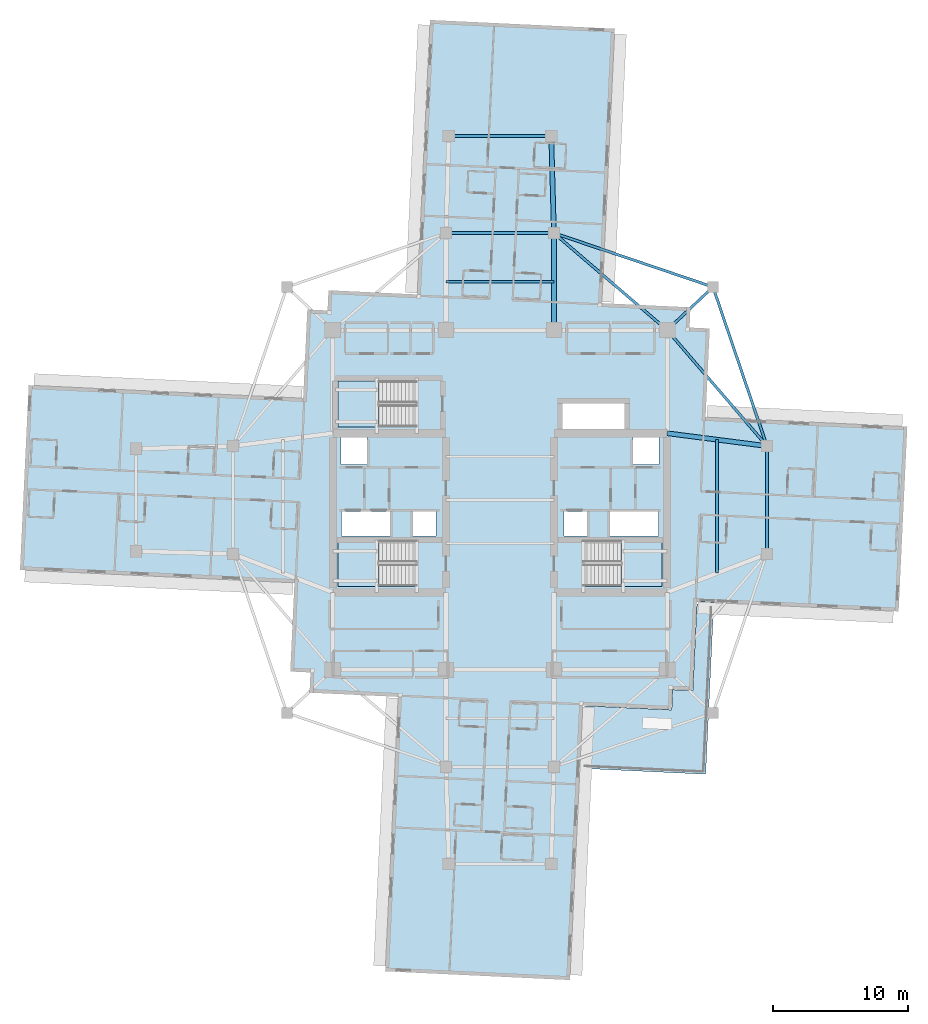
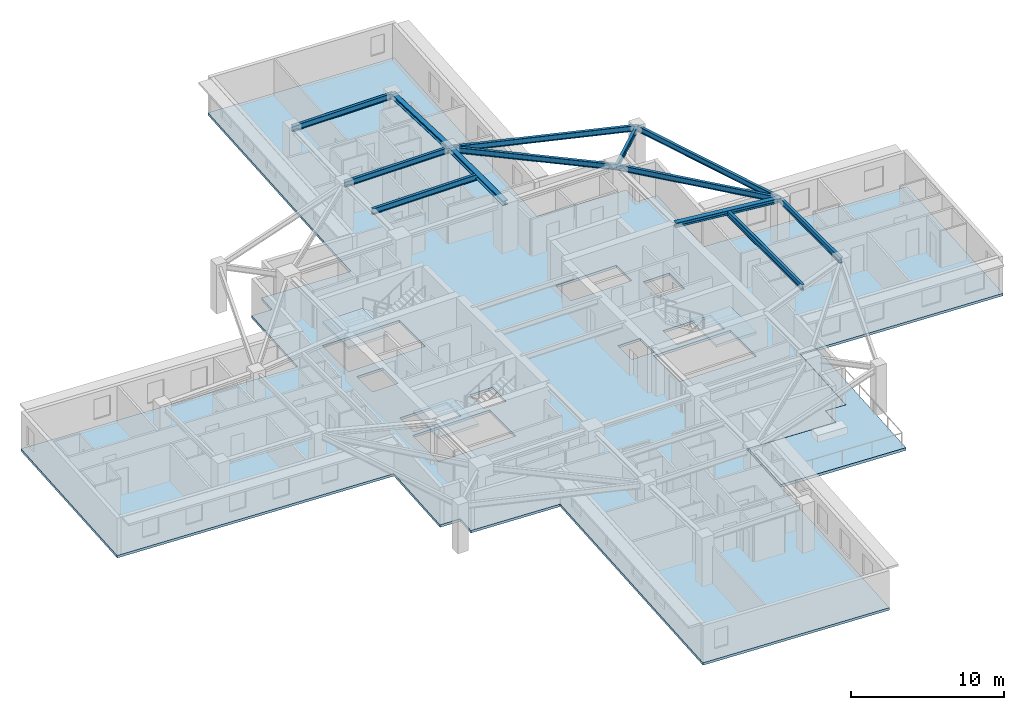
# One storey, part 2 of 14: 13 beams, 5 slabs, 3 elements without a shape of their own.
"""IFC4 building model written with IfcOpenShell, lengths in metres."""

from ifc_helpers import new_model, si_unit, direction, frame, origin, origin_2d, place, context, subcontext, project, spatial, polyline, i_section, outline, extrude, material, layer, layer_set, material_profile, profile_set, type_object, element, aggregate, save


model = new_model("IFC4")

# Units and contexts
model_context = context("Model", 3, precision=1e-05, world=origin(), true_north=direction((0.0, 1.0)))
body_context = subcontext(model_context, "Body", "Model", "MODEL_VIEW")
ifc_project = project(units=[si_unit("LENGTHUNIT", "METRE"), si_unit("AREAUNIT", "SQUARE_METRE"), si_unit("VOLUMEUNIT", "CUBIC_METRE"), si_unit("PLANEANGLEUNIT", "RADIAN"), si_unit("MASSUNIT", "GRAM", prefix="KILO")], contexts=[model_context])

# Site, building, storey
site_placement = place(None, origin())
site = spatial("IfcSite", under=ifc_project, at=site_placement, CompositionType="ELEMENT")
building_placement = place(site_placement, origin())
building = spatial("IfcBuilding", under=site, at=building_placement, Name="Qingluan Cross Belvedere", CompositionType="ELEMENT")
storey_placement = place(building_placement, frame((0.0, 0.0, 172.199951171875)))
storey = spatial("IfcBuildingStorey", under=building, at=storey_placement, Name="L43", CompositionType="ELEMENT", Elevation=172.199951171875)

# Beams
ifc_material_1 = material(Name="Steel Q420GJB", Category="steel")
ifc_material_profile_1 = material_profile(ifc_material_1, i_section(OverallWidth=0.199951171875, OverallDepth=0.449951171875, WebThickness=0.009033203125, FlangeThickness=0.013916015625, FilletRadius=0.01611328125, at=origin_2d()), Name="HN450x200x9x14")
ifc_profile_set_1 = profile_set([ifc_material_profile_1], Name="Steel Q420GJB")
beam_type_1 = type_object("IfcBeamType", Name="Steel_Beam_HN450x200x9x14", PredefinedType="JOIST", material=ifc_profile_set_1)
beam_1_placement = place(storey_placement, frame((12.39990234375, 12.60009765625, 3.47509765625), z_axis=(0.728219948308, 0.685343495546, 0.0), x_axis=(-0.685343495546, 0.728219948308, 0.0)))
element("IfcBeam", 1, at=beam_1_placement, inside=storey, type_object=beam_type_1, Name="Corner beam 1 L43-RNE", PredefinedType="JOIST", context=body_context, shape_type="SweptSolid", body=[
    extrude(i_section(OverallWidth=0.199951171875, OverallDepth=0.449951171875, WebThickness=0.009033203125, FlangeThickness=0.013916015625, FilletRadius=0.01611328125, at=origin_2d()), origin(), (0.0, 0.0, 1.0), 4.669189453125),
])
for number, where, z_axis, x_axis, name in (
    (2, (15.800048828125, 15.800048828125, 3.47509765625), (-0.947066283324, 0.321038089628, 0.0), (-0.321038089628, -0.947066283324, 0.0), "Corner beam 2 L43-RNE"),
    (3, (15.800048828125, 15.800048828125, 3.47509765625), (0.321038089628, -0.947066283324, 0.0), (0.947066283324, 0.321038089628, 0.0), "Corner beam 3 L43-RNE"),
):
    element("IfcBeam", number, at=place(storey_placement, frame(where, z_axis=z_axis, x_axis=x_axis)), inside=storey, type_object=beam_type_1, Name=name, PredefinedType="JOIST", context=body_context, shape_type="SweptSolid", body=[
        extrude(i_section(OverallWidth=0.199951171875, OverallDepth=0.449951171875, WebThickness=0.009033203125, FlangeThickness=0.013916015625, FilletRadius=0.01611328125, at=origin_2d()), origin(), (0.0, 0.0, 1.0), 12.45947265625),
    ])
beam_2_placement = place(storey_placement, frame((12.39990234375, 12.60009765625, 3.47509765625), z_axis=(0.652245077546, -0.75800815221, 0.0), x_axis=(0.75800815221, 0.652245077546, 0.0)))
element("IfcBeam", 4, at=beam_2_placement, inside=storey, type_object=beam_type_1, Name="Corner beam 4 L43-RNE", PredefinedType="JOIST", context=body_context, shape_type="SweptSolid", body=[
    extrude(i_section(OverallWidth=0.199951171875, OverallDepth=0.449951171875, WebThickness=0.009033203125, FlangeThickness=0.013916015625, FilletRadius=0.01611328125, at=origin_2d()), origin(), (0.0, 0.0, 1.0), 11.345703125),
])
beam_3_placement = place(storey_placement, frame((12.39990234375, 12.60009765625, 3.47509765625), z_axis=(-0.759255044656, 0.650793190779, 0.0), x_axis=(-0.650793190779, -0.759255044656, 0.0)))
element("IfcBeam", 5, at=beam_3_placement, inside=storey, type_object=beam_type_1, Name="Corner beam 5 L43-RNE", PredefinedType="JOIST", context=body_context, shape_type="SweptSolid", body=[
    extrude(i_section(OverallWidth=0.199951171875, OverallDepth=0.449951171875, WebThickness=0.009033203125, FlangeThickness=0.013916015625, FilletRadius=0.01611328125, at=origin_2d()), origin(), (0.0, 0.0, 1.0), 11.063232421875),
])
beam_4_placement = place(storey_placement, frame((19.800048828125, -4.0, 3.47509765625), z_axis=(0.0, 1.0, 0.0), x_axis=(-1.0, 0.0, 0.0)))
element("IfcBeam", 6, at=beam_4_placement, inside=storey, type_object=beam_type_1, Name="Arm E tie L43", PredefinedType="JOIST", context=body_context, shape_type="SweptSolid", body=[
    extrude(i_section(OverallWidth=0.199951171875, OverallDepth=0.449951171875, WebThickness=0.009033203125, FlangeThickness=0.013916015625, FilletRadius=0.01611328125, at=origin_2d()), origin(), (0.0, 0.0, 1.0), 8.0),
])
beam_5_placement = place(storey_placement, frame((16.10009765625, -5.425048828125, 3.47509765625), z_axis=(0.0, 1.0, 0.0), x_axis=(-1.0, 0.0, 0.0)))
element("IfcBeam", 7, at=beam_5_placement, inside=storey, type_object=beam_type_1, Name="Arm E beam L43", PredefinedType="JOIST", context=body_context, shape_type="SweptSolid", body=[
    extrude(i_section(OverallWidth=0.199951171875, OverallDepth=0.449951171875, WebThickness=0.009033203125, FlangeThickness=0.013916015625, FilletRadius=0.01611328125, at=origin_2d()), origin(), (0.0, 0.0, 1.0), 9.900146484375),
])
for number, where, z_axis, x_axis, name in (
    (8, (-4.0, 19.800048828125, 3.47509765625), (1.0, 0.0, 0.0), (0.0, 1.0, 0.0), "Arm N tie L43"),
    (9, (-4.0, 16.199951171875, 3.47509765625), (1.0, 0.0, 0.0), (0.0, 1.0, 0.0), "Arm N beam L43"),
):
    element("IfcBeam", number, at=place(storey_placement, frame(where, z_axis=z_axis, x_axis=x_axis)), inside=storey, type_object=beam_type_1, Name=name, PredefinedType="JOIST", context=body_context, shape_type="SweptSolid", body=[
        extrude(i_section(OverallWidth=0.199951171875, OverallDepth=0.449951171875, WebThickness=0.009033203125, FlangeThickness=0.013916015625, FilletRadius=0.01611328125, at=origin_2d()), origin(), (0.0, 0.0, 1.0), 8.0),
    ])
beam_6_placement = place(storey_placement, frame((-3.800048828125, 27.0, 3.47509765625), z_axis=(1.0, 0.0, 0.0), x_axis=(0.0, 1.0, 0.0)))
element("IfcBeam", 10, at=beam_6_placement, inside=storey, type_object=beam_type_1, Name="Arm N tip transverse beam L43", PredefinedType="JOIST", context=body_context, shape_type="SweptSolid", body=[
    extrude(i_section(OverallWidth=0.199951171875, OverallDepth=0.449951171875, WebThickness=0.009033203125, FlangeThickness=0.013916015625, FilletRadius=0.01611328125, at=origin_2d()), origin(), (0.0, 0.0, 1.0), 7.60009765625),
])
ifc_material_2 = material(Name="Steel Q420GJB", Category="steel")
ifc_material_profile_2 = material_profile(ifc_material_2, i_section(OverallWidth=0.35009765625, OverallDepth=0.35009765625, WebThickness=0.011962890625, FlangeThickness=0.01904296875, FilletRadius=0.02001953125, at=origin_2d()), Name="HW350x350x12x19")
ifc_profile_set_2 = profile_set([ifc_material_profile_2], Name="Steel Q420GJB")
beam_type_2 = type_object("IfcBeamType", Name="Steel_Girder_HW350x350x12x19", PredefinedType="USERDEFINED", material=ifc_profile_set_2)
beam_7_placement = place(storey_placement, frame((12.39990234375, 4.949951171875, 3.525146484375), z_axis=(0.991861120628, -0.12732445714, 0.0), x_axis=(0.12732445714, 0.991861120628, 0.0)))
element("IfcBeam", 11, at=beam_7_placement, inside=storey, type_object=beam_type_2, Name="Arm E radial girder B L43", ObjectType="GIRDER", PredefinedType="USERDEFINED", context=body_context, shape_type="SweptSolid", body=[
    extrude(i_section(OverallWidth=0.35009765625, OverallDepth=0.35009765625, WebThickness=0.011962890625, FlangeThickness=0.01904296875, FilletRadius=0.02001953125, at=origin_2d()), origin(), (0.0, 0.0, 1.0), 7.4609375),
])
beam_8_placement = place(storey_placement, frame((4.0, 12.60009765625, 3.525146484375), z_axis=(0.0, 1.0, 0.0), x_axis=(-1.0, 0.0, 0.0)))
element("IfcBeam", 12, at=beam_8_placement, inside=storey, type_object=beam_type_2, Name="Arm N radial girder B L43", ObjectType="GIRDER", PredefinedType="USERDEFINED", context=body_context, shape_type="SweptSolid", body=[
    extrude(i_section(OverallWidth=0.35009765625, OverallDepth=0.35009765625, WebThickness=0.011962890625, FlangeThickness=0.01904296875, FilletRadius=0.02001953125, at=origin_2d()), origin(), (0.0, 0.0, 1.0), 7.199951171875),
])
beam_9_placement = place(storey_placement, frame((4.0, 19.800048828125, 3.525146484375), z_axis=(-0.027760481514, 0.999614603568, 0.0), x_axis=(-0.999614603568, -0.027760481514, 0.0)))
element("IfcBeam", 13, at=beam_9_placement, inside=storey, type_object=beam_type_2, Name="Arm N outer radial girder B L43", ObjectType="GIRDER", PredefinedType="USERDEFINED", context=body_context, shape_type="SweptSolid", body=[
    extrude(i_section(OverallWidth=0.35009765625, OverallDepth=0.35009765625, WebThickness=0.011962890625, FlangeThickness=0.01904296875, FilletRadius=0.02001953125, at=origin_2d()), origin(), (0.0, 0.0, 1.0), 7.20263671875),
])

# Slab
ifc_material_3 = material(Name="Concrete C40", Category="concrete")
ifc_layer_1 = layer(ifc_material_3, 0.199951171875, Name="FloorSlab_200")
ifc_layer_set_1 = layer_set([ifc_layer_1], Name="Concrete C40")
slab_type_1 = type_object("IfcSlabType", Name="FloorSlab_200", PredefinedType="FLOOR", material=ifc_layer_set_1)
slab_1_placement = place(storey_placement, frame((0.0, 0.0, -0.199951171875)))
element("IfcSlab", 14, at=slab_1_placement, inside=storey, type_object=slab_type_1, Name="Structural floor slab L43", PredefinedType="FLOOR", context=body_context, shape_type="SweptSolid", body=[
    extrude(outline(polyline([(5.188720703125, -35.60400390625), (6.148681640625, -15.24658203125), (12.72119140625, -15.556396484375), (12.7919921875, -14.05810546875), (14.290283203125, -14.12890625), (14.600341796875, -7.55615234375), (29.563720703125, -8.26171875), (30.2099609375, 5.443115234375), (15.24658203125, 6.148681640625), (15.556396484375, 12.72119140625), (14.05810546875, 12.7919921875), (14.12890625, 14.290283203125), (7.55615234375, 14.600341796875), (8.51611328125, 34.95751953125), (-5.188720703125, 35.60400390625), (-6.148681640625, 15.24658203125), (-12.72119140625, 15.556396484375), (-12.7919921875, 14.05810546875), (-14.290283203125, 14.12890625), (-14.600341796875, 7.55615234375), (-34.95751953125, 8.51611328125), (-35.60400390625, -5.188720703125), (-15.24658203125, -6.148681640625), (-15.556396484375, -12.72119140625), (-14.05810546875, -12.7919921875), (-14.12890625, -14.290283203125), (-7.55615234375, -14.600341796875), (-8.51611328125, -34.95751953125), (5.188720703125, -35.60400390625)]), holes=[polyline([(-12.0, -3.0), (-6.179931640625, -3.0), (-6.179931640625, -6.39990234375), (-12.0, -6.39990234375), (-12.0, -3.0)]), polyline([(6.179931640625, -3.0), (12.0, -3.0), (12.0, -6.39990234375), (6.179931640625, -6.39990234375), (6.179931640625, -3.0)]), polyline([(-12.0, 8.820068359375), (-6.179931640625, 8.820068359375), (-6.179931640625, 5.419921875), (-12.0, 5.419921875), (-12.0, 8.820068359375)]), polyline([(-11.800048828125, 4.64990234375), (-9.85009765625, 4.64990234375), (-9.85009765625, 2.64990234375), (-11.800048828125, 2.64990234375), (-11.800048828125, 4.64990234375)]), polyline([(9.85009765625, 4.64990234375), (11.800048828125, 4.64990234375), (11.800048828125, 2.64990234375), (9.85009765625, 2.64990234375), (9.85009765625, 4.64990234375)]), polyline([(-11.75, -0.840087890625), (-8.14990234375, -0.840087890625), (-8.14990234375, -2.659912109375), (-11.75, -2.659912109375), (-11.75, -0.840087890625)]), polyline([(-6.449951171875, -0.840087890625), (-4.75, -0.840087890625), (-4.75, -2.659912109375), (-6.449951171875, -2.659912109375), (-6.449951171875, -0.840087890625)]), polyline([(4.75, -0.840087890625), (6.449951171875, -0.840087890625), (6.449951171875, -2.659912109375), (4.75, -2.659912109375), (4.75, -0.840087890625)]), polyline([(8.14990234375, -0.840087890625), (11.75, -0.840087890625), (11.75, -2.659912109375), (8.14990234375, -2.659912109375), (8.14990234375, -0.840087890625)]), polyline([(4.64990234375, 7.14990234375), (9.25, 7.14990234375), (9.25, 5.14990234375), (4.64990234375, 5.14990234375), (4.64990234375, 7.14990234375)])]), origin(), (0.0, 0.0, 1.0), 0.199951171875),
])

# Stair, slab
ifc_material_4 = material(Name="Concrete C40", Category="concrete")
stair_type = type_object("IfcStairType", Name="CoreDoglegStair_1620", PredefinedType="HALF_TURN_STAIR", material=ifc_material_4)
stair_1_placement = place(storey_placement, origin())
stair_1 = element("IfcStair", 15, at=stair_1_placement, inside=storey, type_object=stair_type, Name="L43 ST1", PredefinedType="HALF_TURN_STAIR")
ifc_material_5 = material(Name="Concrete C40", Category="concrete")
ifc_layer_2 = layer(ifc_material_5, 0.179931640625, Name="StairLandingSlab_180")
ifc_layer_set_2 = layer_set([ifc_layer_2], Name="Concrete C40")
slab_type_2 = type_object("IfcSlabType", Name="StairLandingSlab_180", PredefinedType="LANDING", material=ifc_layer_set_2)
slab_2_placement = place(storey_placement, frame((0.0, 0.0, 1.75)))
slab_2 = element("IfcSlab", 16, at=slab_2_placement, type_object=slab_type_2, Name="ST1 landing 1", PredefinedType="LANDING", context=body_context, shape_type="SweptSolid", body=[
    extrude(outline(polyline([(-8.97998046875, -3.0), (-12.0, -3.0), (-12.0, -6.39990234375), (-8.97998046875, -6.39990234375), (-8.97998046875, -3.0)])), origin(), (0.0, 0.0, 1.0), 0.199951171875),
])
aggregate(stair_1, [slab_2])

stair_2_placement = place(storey_placement, origin())
stair_2 = element("IfcStair", 17, at=stair_2_placement, inside=storey, type_object=stair_type, Name="L43 ST2", PredefinedType="HALF_TURN_STAIR")
slab_3_placement = place(storey_placement, frame((0.0, 0.0, 1.75)))
slab_3 = element("IfcSlab", 18, at=slab_3_placement, type_object=slab_type_2, Name="ST2 landing 1", PredefinedType="LANDING", context=body_context, shape_type="SweptSolid", body=[
    extrude(outline(polyline([(8.97998046875, -6.39990234375), (12.0, -6.39990234375), (12.0, -3.0), (8.97998046875, -3.0), (8.97998046875, -6.39990234375)])), origin(), (0.0, 0.0, 1.0), 0.199951171875),
])
aggregate(stair_2, [slab_3])

stair_3_placement = place(storey_placement, origin())
stair_3 = element("IfcStair", 19, at=stair_3_placement, inside=storey, type_object=stair_type, Name="L43 ST3", PredefinedType="HALF_TURN_STAIR")
slab_4_placement = place(storey_placement, frame((0.0, 0.0, 1.75)))
slab_4 = element("IfcSlab", 20, at=slab_4_placement, type_object=slab_type_2, Name="ST3 landing 1", PredefinedType="LANDING", context=body_context, shape_type="SweptSolid", body=[
    extrude(outline(polyline([(-8.97998046875, 8.820068359375), (-12.0, 8.820068359375), (-12.0, 5.419921875), (-8.97998046875, 5.419921875), (-8.97998046875, 8.820068359375)])), origin(), (0.0, 0.0, 1.0), 0.199951171875),
])
aggregate(stair_3, [slab_4])

# Slab
ifc_material_6 = material(Name="Concrete C40", Category="concrete")
ifc_layer_3 = layer(ifc_material_6, 0.219970703125, Name="TerraceSlab_220")
ifc_layer_set_3 = layer_set([ifc_layer_3], Name="Concrete C40")
slab_type_3 = type_object("IfcSlabType", Name="TerraceSlab_220", PredefinedType="FLOOR", material=ifc_layer_set_3)
slab_5_placement = place(storey_placement, frame((0.0, 0.0, -0.219970703125)))
element("IfcSlab", 21, at=slab_5_placement, inside=storey, type_object=slab_type_3, Name="Spiralling winter-garden terrace slab L43", PredefinedType="FLOOR", context=body_context, shape_type="SweptSolid", body=[
    extrude(outline(polyline([(14.603759765625, -7.696533203125), (14.29833984375, -14.134765625), (12.801513671875, -14.068603515625), (12.731201171875, -15.556884765625), (12.722900390625, -15.56640625), (6.2880859375, -15.26318359375), (6.06884765625, -19.907958984375), (15.2587890625, -20.34130859375), (15.852294921875, -7.75537109375), (14.603759765625, -7.696533203125)])), origin(), (0.0, 0.0, 1.0), 0.219970703125),
])

save(model, "model.ifc")
